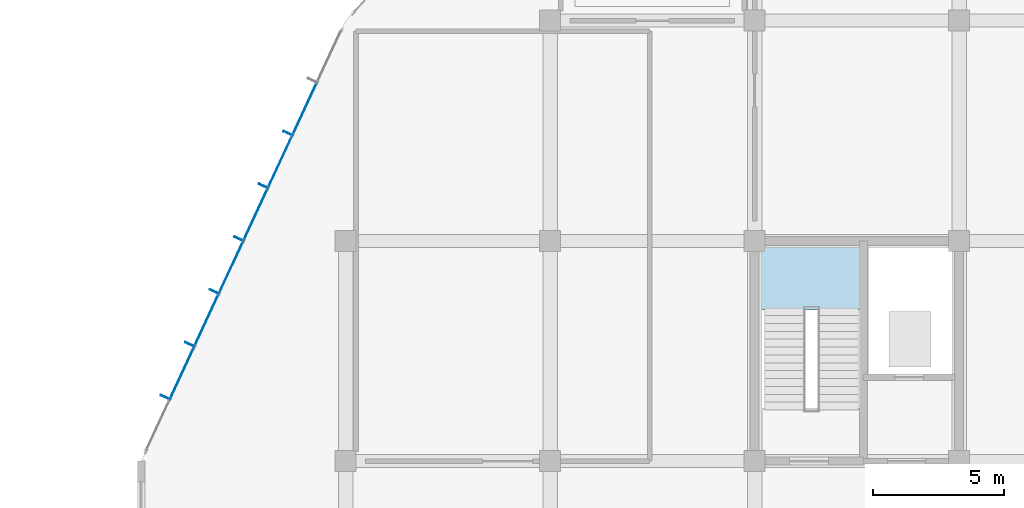
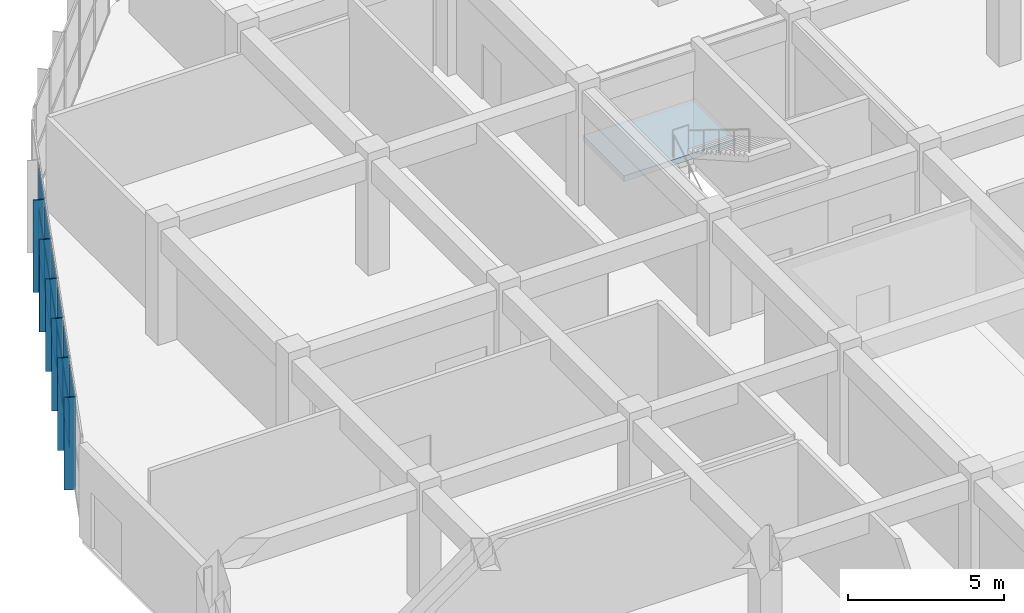
# One storey, part 101 of 139: 18 plates, 1 slab, 2 elements without a shape of their own.
"""IFC4 building model written with IfcOpenShell, lengths in metres."""

from ifc_helpers import new_model, si_unit, direction, frame, origin, origin_2d, place, context, subcontext, project, spatial, polyline, rectangle, outline, extrude, material, layer, layer_set, type_object, element, aggregate, save


model = new_model("IFC4")

# Units and contexts
model_context = context("Model", 3, precision=1e-05, world=origin(), true_north=direction((0.0, 1.0)))
body_context = subcontext(model_context, "Body", "Model", "MODEL_VIEW")
ifc_project = project(units=[si_unit("LENGTHUNIT", "METRE"), si_unit("AREAUNIT", "SQUARE_METRE"), si_unit("VOLUMEUNIT", "CUBIC_METRE"), si_unit("PLANEANGLEUNIT", "RADIAN"), si_unit("MASSUNIT", "GRAM", prefix="KILO")], contexts=[model_context])

# Site, building, storey
site_placement = place(None, origin())
site = spatial("IfcSite", under=ifc_project, at=site_placement, CompositionType="ELEMENT")
building_placement = place(site_placement, origin())
building = spatial("IfcBuilding", under=site, at=building_placement, Name="Zizhar Promenade General Hospital", CompositionType="ELEMENT")
storey_placement = place(building_placement, origin())
storey = spatial("IfcBuildingStorey", under=building, at=storey_placement, Name="L00", CompositionType="ELEMENT", Elevation=0.0)

# Curtain wall, plates
ifc_material_1 = material(Name="Anodised aluminium 6063-T6 and low-E glass", Category="aluminium")
ifc_layer_1 = layer(ifc_material_1, 0.159912109375)
ifc_layer_set_1 = layer_set([ifc_layer_1], Name="Anodised aluminium 6063-T6 and low-E glass")
curtain_wall_type = type_object("IfcCurtainWallType", Name="CW-DT-MOD2", PredefinedType="NOTDEFINED", material=ifc_layer_set_1)
curtain_wall_placement = place(storey_placement, origin())
curtain_wall = element("IfcCurtainWall", 1, at=curtain_wall_placement, inside=storey, type_object=curtain_wall_type, Name="West Diagnostic Arm Glazed Curtain Wall L00-NW1", PredefinedType="NOTDEFINED")
ifc_material_2 = material(Name="Low-E solar-control glass", Category="glass")
ifc_layer_2 = layer(ifc_material_2, 0.031982421875)
ifc_layer_set_2 = layer_set([ifc_layer_2], Name="Low-E solar-control glass")
plate_type_1 = type_object("IfcPlateType", Name="CWP-GLZ-32", PredefinedType="CURTAIN_PANEL", material=ifc_layer_set_2)
plate_1_placement = place(storey_placement, frame((1.5625, 53.765380859375, 0.06005859375), z_axis=(0.0, 0.0, 1.0), x_axis=(0.421114945486, 0.907007278189, 0.0)))
plate_1 = element("IfcPlate", 2, at=plate_1_placement, type_object=plate_type_1, Name="CW-08 panel 2.1", PredefinedType="CURTAIN_PANEL", context=body_context, shape_type="SweptSolid", body=[
    extrude(rectangle(XDim=2.140380859375, YDim=0.031982421875, at=origin_2d()), origin(), (0.0, 0.0, 1.0), 1.72509765625),
])
plate_2_placement = place(storey_placement, frame((1.5625, 53.765380859375, 1.844970703125), z_axis=(0.0, 0.0, 1.0), x_axis=(0.421114945486, 0.907007278189, 0.0)))
plate_2 = element("IfcPlate", 3, at=plate_2_placement, type_object=plate_type_1, Name="CW-08 panel 2.2", PredefinedType="CURTAIN_PANEL", context=body_context, shape_type="SweptSolid", body=[
    extrude(rectangle(XDim=2.140380859375, YDim=0.031982421875, at=origin_2d()), origin(), (0.0, 0.0, 1.0), 1.72509765625),
])
plate_3_placement = place(storey_placement, frame((2.49755859375, 55.779296875, 0.06005859375), z_axis=(0.0, 0.0, 1.0), x_axis=(0.421114945486, 0.907007278189, 0.0)))
plate_3 = element("IfcPlate", 4, at=plate_3_placement, type_object=plate_type_1, Name="CW-08 panel 3.1", PredefinedType="CURTAIN_PANEL", context=body_context, shape_type="SweptSolid", body=[
    extrude(rectangle(XDim=2.140380859375, YDim=0.031982421875, at=origin_2d()), origin(), (0.0, 0.0, 1.0), 1.72509765625),
])
plate_4_placement = place(storey_placement, frame((2.49755859375, 55.779296875, 1.844970703125), z_axis=(0.0, 0.0, 1.0), x_axis=(0.421114945486, 0.907007278189, 0.0)))
plate_4 = element("IfcPlate", 5, at=plate_4_placement, type_object=plate_type_1, Name="CW-08 panel 3.2", PredefinedType="CURTAIN_PANEL", context=body_context, shape_type="SweptSolid", body=[
    extrude(rectangle(XDim=2.140380859375, YDim=0.031982421875, at=origin_2d()), origin(), (0.0, 0.0, 1.0), 1.72509765625),
])
plate_5_placement = place(storey_placement, frame((3.4326171875, 57.79296875, 0.06005859375), z_axis=(0.0, 0.0, 1.0), x_axis=(0.421114945486, 0.907007278189, 0.0)))
plate_5 = element("IfcPlate", 6, at=plate_5_placement, type_object=plate_type_1, Name="CW-08 panel 4.1", PredefinedType="CURTAIN_PANEL", context=body_context, shape_type="SweptSolid", body=[
    extrude(rectangle(XDim=2.140380859375, YDim=0.031982421875, at=origin_2d()), origin(), (0.0, 0.0, 1.0), 1.72509765625),
])
plate_6_placement = place(storey_placement, frame((3.4326171875, 57.79296875, 1.844970703125), z_axis=(0.0, 0.0, 1.0), x_axis=(0.421114945486, 0.907007278189, 0.0)))
plate_6 = element("IfcPlate", 7, at=plate_6_placement, type_object=plate_type_1, Name="CW-08 panel 4.2", PredefinedType="CURTAIN_PANEL", context=body_context, shape_type="SweptSolid", body=[
    extrude(rectangle(XDim=2.140380859375, YDim=0.031982421875, at=origin_2d()), origin(), (0.0, 0.0, 1.0), 1.72509765625),
])
plate_7_placement = place(storey_placement, frame((4.367431640625, 59.806884765625, 0.06005859375), z_axis=(0.0, 0.0, 1.0), x_axis=(0.421114945486, 0.907007278189, 0.0)))
plate_7 = element("IfcPlate", 8, at=plate_7_placement, type_object=plate_type_1, Name="CW-08 panel 5.1", PredefinedType="CURTAIN_PANEL", context=body_context, shape_type="SweptSolid", body=[
    extrude(rectangle(XDim=2.140380859375, YDim=0.031982421875, at=origin_2d()), origin(), (0.0, 0.0, 1.0), 1.72509765625),
])
plate_8_placement = place(storey_placement, frame((4.367431640625, 59.806884765625, 1.844970703125), z_axis=(0.0, 0.0, 1.0), x_axis=(0.421114945486, 0.907007278189, 0.0)))
plate_8 = element("IfcPlate", 9, at=plate_8_placement, type_object=plate_type_1, Name="CW-08 panel 5.2", PredefinedType="CURTAIN_PANEL", context=body_context, shape_type="SweptSolid", body=[
    extrude(rectangle(XDim=2.140380859375, YDim=0.031982421875, at=origin_2d()), origin(), (0.0, 0.0, 1.0), 1.72509765625),
])
plate_9_placement = place(storey_placement, frame((5.302490234375, 61.82080078125, 0.06005859375), z_axis=(0.0, 0.0, 1.0), x_axis=(0.421114945486, 0.907007278189, 0.0)))
plate_9 = element("IfcPlate", 10, at=plate_9_placement, type_object=plate_type_1, Name="CW-08 panel 6.1", PredefinedType="CURTAIN_PANEL", context=body_context, shape_type="SweptSolid", body=[
    extrude(rectangle(XDim=2.140380859375, YDim=0.031982421875, at=origin_2d()), origin(), (0.0, 0.0, 1.0), 1.72509765625),
])
plate_10_placement = place(storey_placement, frame((5.302490234375, 61.82080078125, 1.844970703125), z_axis=(0.0, 0.0, 1.0), x_axis=(0.421114945486, 0.907007278189, 0.0)))
plate_10 = element("IfcPlate", 11, at=plate_10_placement, type_object=plate_type_1, Name="CW-08 panel 6.2", PredefinedType="CURTAIN_PANEL", context=body_context, shape_type="SweptSolid", body=[
    extrude(rectangle(XDim=2.140380859375, YDim=0.031982421875, at=origin_2d()), origin(), (0.0, 0.0, 1.0), 1.72509765625),
])
plate_11_placement = place(storey_placement, frame((6.237548828125, 63.83447265625, 0.06005859375), z_axis=(0.0, 0.0, 1.0), x_axis=(0.421114945486, 0.907007278189, 0.0)))
plate_11 = element("IfcPlate", 12, at=plate_11_placement, type_object=plate_type_1, Name="CW-08 panel 7.1", PredefinedType="CURTAIN_PANEL", context=body_context, shape_type="SweptSolid", body=[
    extrude(rectangle(XDim=2.140380859375, YDim=0.031982421875, at=origin_2d()), origin(), (0.0, 0.0, 1.0), 1.72509765625),
])
plate_12_placement = place(storey_placement, frame((6.237548828125, 63.83447265625, 1.844970703125), z_axis=(0.0, 0.0, 1.0), x_axis=(0.421114945486, 0.907007278189, 0.0)))
plate_12 = element("IfcPlate", 13, at=plate_12_placement, type_object=plate_type_1, Name="CW-08 panel 7.2", PredefinedType="CURTAIN_PANEL", context=body_context, shape_type="SweptSolid", body=[
    extrude(rectangle(XDim=2.140380859375, YDim=0.031982421875, at=origin_2d()), origin(), (0.0, 0.0, 1.0), 1.72509765625),
])
aggregate(curtain_wall, [plate_1, plate_2, plate_3, plate_4, plate_5, plate_6, plate_7, plate_8, plate_9, plate_10, plate_11, plate_12])

# Plates
ifc_material_3 = material(Name="Anodised aluminium 6063-T6", Category="aluminium")
ifc_layer_3 = layer(ifc_material_3, 0.035888671875)
ifc_layer_set_3 = layer_set([ifc_layer_3], Name="Anodised aluminium 6063-T6")
plate_type_2 = type_object("IfcPlateType", Name="FIN-ALU-380", PredefinedType="USERDEFINED", material=ifc_layer_set_3)
plate_13_placement = place(storey_placement, origin())
element("IfcPlate", 14, at=plate_13_placement, inside=storey, type_object=plate_type_2, Name="West Diagnostic Arm Glazed Curtain Wall L00-NW1 Solar Fin 1", ObjectType="SOLAR_SHADE", PredefinedType="USERDEFINED", context=body_context, shape_type="SweptSolid", body=[
    extrude(outline(polyline([(1.08740234375, 52.7421875), (1.1025390625, 52.77490234375), (0.7578125, 52.934814453125), (0.742919921875, 52.902099609375), (1.08740234375, 52.7421875)])), origin(), (0.0, 0.0, 1.0), 3.6298828125),
])
plate_14_placement = place(storey_placement, origin())
element("IfcPlate", 15, at=plate_14_placement, inside=storey, type_object=plate_type_2, Name="West Diagnostic Arm Glazed Curtain Wall L00-NW1 Solar Fin 2", ObjectType="SOLAR_SHADE", PredefinedType="USERDEFINED", context=body_context, shape_type="SweptSolid", body=[
    extrude(outline(polyline([(2.0224609375, 54.756103515625), (2.03759765625, 54.788818359375), (1.69287109375, 54.94873046875), (1.677734375, 54.916015625), (2.0224609375, 54.756103515625)])), origin(), (0.0, 0.0, 1.0), 3.6298828125),
])
plate_15_placement = place(storey_placement, origin())
element("IfcPlate", 16, at=plate_15_placement, inside=storey, type_object=plate_type_2, Name="West Diagnostic Arm Glazed Curtain Wall L00-NW1 Solar Fin 3", ObjectType="SOLAR_SHADE", PredefinedType="USERDEFINED", context=body_context, shape_type="SweptSolid", body=[
    extrude(outline(polyline([(2.95751953125, 56.769775390625), (2.97265625, 56.802490234375), (2.6279296875, 56.96240234375), (2.61279296875, 56.929931640625), (2.95751953125, 56.769775390625)])), origin(), (0.0, 0.0, 1.0), 3.6298828125),
])
plate_16_placement = place(storey_placement, origin())
element("IfcPlate", 17, at=plate_16_placement, inside=storey, type_object=plate_type_2, Name="West Diagnostic Arm Glazed Curtain Wall L00-NW1 Solar Fin 4", ObjectType="SOLAR_SHADE", PredefinedType="USERDEFINED", context=body_context, shape_type="SweptSolid", body=[
    extrude(outline(polyline([(3.892333984375, 58.78369140625), (3.90771484375, 58.81640625), (3.56298828125, 58.976318359375), (3.5478515625, 58.943603515625), (3.892333984375, 58.78369140625)])), origin(), (0.0, 0.0, 1.0), 3.6298828125),
])
plate_17_placement = place(storey_placement, origin())
element("IfcPlate", 18, at=plate_17_placement, inside=storey, type_object=plate_type_2, Name="West Diagnostic Arm Glazed Curtain Wall L00-NW1 Solar Fin 5", ObjectType="SOLAR_SHADE", PredefinedType="USERDEFINED", context=body_context, shape_type="SweptSolid", body=[
    extrude(outline(polyline([(4.827392578125, 60.797607421875), (4.842529296875, 60.830078125), (4.497802734375, 60.990234375), (4.48291015625, 60.95751953125), (4.827392578125, 60.797607421875)])), origin(), (0.0, 0.0, 1.0), 3.6298828125),
])
plate_18_placement = place(storey_placement, origin())
element("IfcPlate", 19, at=plate_18_placement, inside=storey, type_object=plate_type_2, Name="West Diagnostic Arm Glazed Curtain Wall L00-NW1 Solar Fin 6", ObjectType="SOLAR_SHADE", PredefinedType="USERDEFINED", context=body_context, shape_type="SweptSolid", body=[
    extrude(outline(polyline([(5.762451171875, 62.811279296875), (5.777587890625, 62.843994140625), (5.432861328125, 63.00390625), (5.417724609375, 62.97119140625), (5.762451171875, 62.811279296875)])), origin(), (0.0, 0.0, 1.0), 3.6298828125),
])

# Stair, slab
ifc_material_4 = material(Name="Concrete C35/45", Category="concrete")
stair_type = type_object("IfcStairType", Name="STR-DOG-480", PredefinedType="HALF_TURN_STAIR", material=ifc_material_4)
stair_placement = place(storey_placement, origin())
stair = element("IfcStair", 20, at=stair_placement, inside=storey, type_object=stair_type, Name="Exit Stair ST-01 (L00 to L01)", PredefinedType="HALF_TURN_STAIR")
ifc_material_5 = material(Name="Concrete C35/45", Category="concrete")
ifc_layer_4 = layer(ifc_material_5, 0.219970703125)
ifc_layer_set_4 = layer_set([ifc_layer_4], Name="Concrete C35/45")
slab_type = type_object("IfcSlabType", Name="SLB-LAND-480", PredefinedType="LANDING", material=ifc_layer_set_4)
slab_placement = place(storey_placement, frame((0.0, 0.0, 2.179931640625)))
slab = element("IfcSlab", 21, at=slab_placement, type_object=slab_type, Name="ST-01A landing 1", PredefinedType="LANDING", context=body_context, shape_type="SweptSolid", body=[
    extrude(outline(polyline([(23.39990234375, 56.169921875), (27.550048828125, 56.169921875), (27.550048828125, 58.800048828125), (23.39990234375, 58.800048828125), (23.39990234375, 56.169921875)])), origin(), (0.0, 0.0, 1.0), 0.219970703125),
])
aggregate(stair, [slab])

save(model, "model.ifc")
